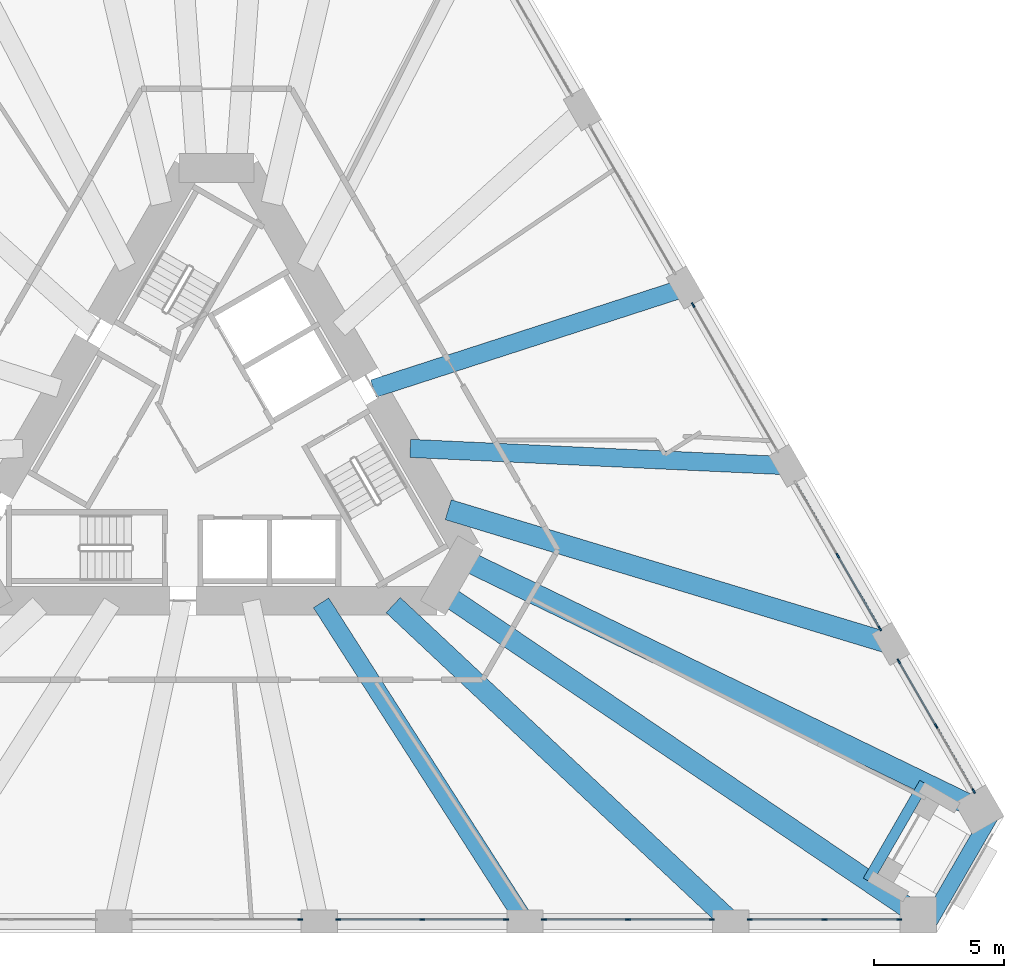
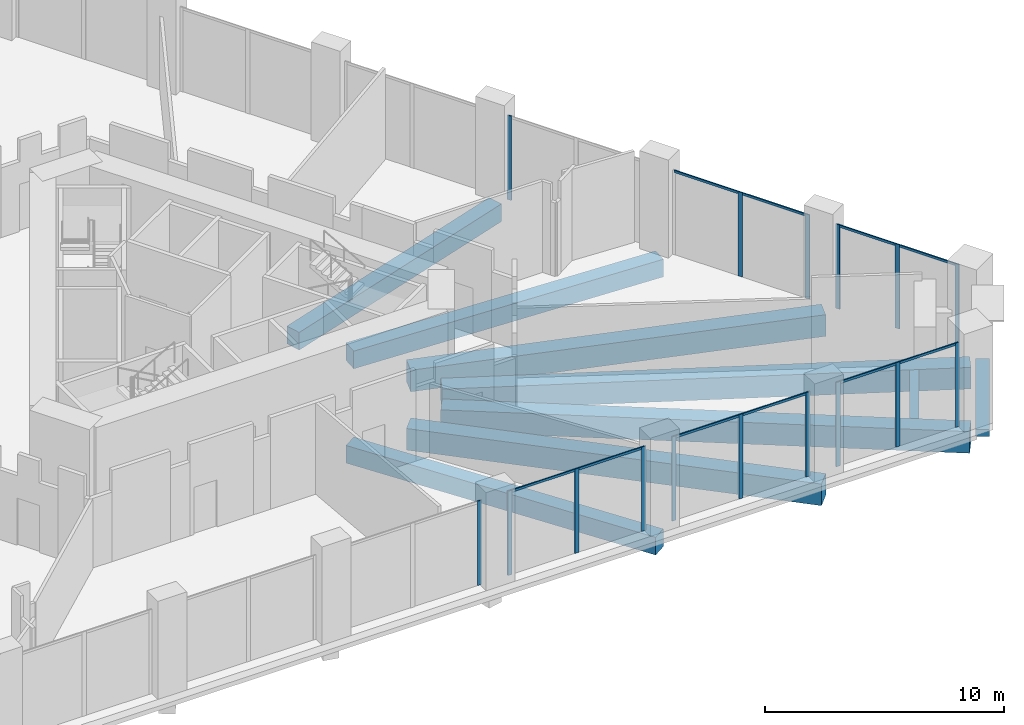
# One storey, part 7 of 20: 26 members, 9 beams, 7 elements without a shape of their own.
"""IFC4 building model written with IfcOpenShell, lengths in metres."""

from ifc_helpers import new_model, si_unit, direction, frame, origin, origin_2d, place, context, subcontext, project, spatial, rectangle, extrude, material, layer, layer_set, material_profile, profile_set, type_object, element, aggregate, save


model = new_model("IFC4")

# Units and contexts
model_context = context("Model", 3, precision=1e-05, world=origin(), true_north=direction((0.0, 1.0)))
body_context = subcontext(model_context, "Body", "Model", "MODEL_VIEW")
ifc_project = project(units=[si_unit("LENGTHUNIT", "METRE"), si_unit("AREAUNIT", "SQUARE_METRE"), si_unit("VOLUMEUNIT", "CUBIC_METRE"), si_unit("PLANEANGLEUNIT", "RADIAN"), si_unit("MASSUNIT", "GRAM", prefix="KILO")], contexts=[model_context])

# Site, building, storey
site_placement = place(None, origin())
site = spatial("IfcSite", under=ifc_project, at=site_placement, CompositionType="ELEMENT")
building_placement = place(site_placement, origin())
building = spatial("IfcBuilding", under=site, at=building_placement, Name="Tramontana Tower", CompositionType="ELEMENT")
storey_placement = place(building_placement, frame((0.0, 0.0, 15.0)))
storey = spatial("IfcBuildingStorey", under=building, at=storey_placement, Name="L02", CompositionType="ELEMENT", Elevation=15.0)

# Curtain wall, member
ifc_material_1 = material(Name="Aluminum extrusion", Category="aluminium")
ifc_layer = layer(ifc_material_1, 0.14990234375)
ifc_layer_set = layer_set([ifc_layer], Name="CW2 Podium amenity curtain wall")
curtain_wall_type = type_object("IfcCurtainWallType", Name="CW2 Podium amenity curtain wall", PredefinedType="NOTDEFINED", material=ifc_layer_set)
curtain_wall_1_placement = place(storey_placement, origin())
curtain_wall_1 = element("IfcCurtainWall", 1, at=curtain_wall_1_placement, inside=storey, type_object=curtain_wall_type, Name="CW2 curtain wall L02 face 1 bay 4", PredefinedType="NOTDEFINED")
ifc_material_2 = material(Name="Aluminum extrusion", Category="aluminium")
ifc_material_profile_1 = material_profile(ifc_material_2, rectangle(XDim=0.06005859375, YDim=0.199951171875, at=origin_2d()), Name="CW2-M Mullion 60 x 200")
ifc_profile_set_1 = profile_set([ifc_material_profile_1], Name="Aluminum extrusion")
member_type_1 = type_object("IfcMemberType", Name="CW2-M Mullion 60 x 200", PredefinedType="MULLION", material=ifc_profile_set_1)
member_1_placement = place(storey_placement, frame((3.22900390625, -18.47509765625, 0.0), z_axis=(0.0, 0.0, 1.0), x_axis=(0.0, 1.0, 0.0)))
member_1 = element("IfcMember", 2, at=member_1_placement, type_object=member_type_1, Name="CW2 curtain wall L02 face 1 bay 4 mullion 3", PredefinedType="MULLION", context=body_context, shape_type="SweptSolid", body=[
    extrude(rectangle(XDim=0.06005859375, YDim=0.199951171875, at=origin_2d()), origin(), (0.0, 0.0, 1.0), 4.300048828125),
])
aggregate(curtain_wall_1, [member_1])

# Curtain wall, members
curtain_wall_2_placement = place(storey_placement, origin())
curtain_wall_2 = element("IfcCurtainWall", 3, at=curtain_wall_2_placement, inside=storey, type_object=curtain_wall_type, Name="CW2 curtain wall L02 face 1 bay 5", PredefinedType="NOTDEFINED")
member_2_placement = place(storey_placement, frame((4.68896484375, -18.47509765625, 0.0), z_axis=(0.0, 0.0, 1.0), x_axis=(0.0, 1.0, 0.0)))
member_2 = element("IfcMember", 4, at=member_2_placement, type_object=member_type_1, Name="CW2 curtain wall L02 face 1 bay 5 mullion 1", PredefinedType="MULLION", context=body_context, shape_type="SweptSolid", body=[
    extrude(rectangle(XDim=0.06005859375, YDim=0.199951171875, at=origin_2d()), origin(), (0.0, 0.0, 1.0), 4.300048828125),
])
member_3_placement = place(storey_placement, frame((7.91796875, -18.47509765625, 0.0), z_axis=(0.0, 0.0, 1.0), x_axis=(0.0, 1.0, 0.0)))
member_3 = element("IfcMember", 5, at=member_3_placement, type_object=member_type_1, Name="CW2 curtain wall L02 face 1 bay 5 mullion 2", PredefinedType="MULLION", context=body_context, shape_type="SweptSolid", body=[
    extrude(rectangle(XDim=0.06005859375, YDim=0.199951171875, at=origin_2d()), origin(), (0.0, 0.0, 1.0), 4.300048828125),
])
member_4_placement = place(storey_placement, frame((11.14697265625, -18.47509765625, 0.0), z_axis=(0.0, 0.0, 1.0), x_axis=(0.0, 1.0, 0.0)))
member_4 = element("IfcMember", 6, at=member_4_placement, type_object=member_type_1, Name="CW2 curtain wall L02 face 1 bay 5 mullion 3", PredefinedType="MULLION", context=body_context, shape_type="SweptSolid", body=[
    extrude(rectangle(XDim=0.06005859375, YDim=0.199951171875, at=origin_2d()), origin(), (0.0, 0.0, 1.0), 4.300048828125),
])

curtain_wall_3_placement = place(storey_placement, origin())
curtain_wall_3 = element("IfcCurtainWall", 7, at=curtain_wall_3_placement, inside=storey, type_object=curtain_wall_type, Name="CW2 curtain wall L02 face 1 bay 6", PredefinedType="NOTDEFINED")
member_5_placement = place(storey_placement, frame((12.60693359375, -18.47509765625, 0.0), z_axis=(0.0, 0.0, 1.0), x_axis=(0.0, 1.0, 0.0)))
member_5 = element("IfcMember", 8, at=member_5_placement, type_object=member_type_1, Name="CW2 curtain wall L02 face 1 bay 6 mullion 1", PredefinedType="MULLION", context=body_context, shape_type="SweptSolid", body=[
    extrude(rectangle(XDim=0.06005859375, YDim=0.199951171875, at=origin_2d()), origin(), (0.0, 0.0, 1.0), 4.300048828125),
])
member_6_placement = place(storey_placement, frame((15.8359375, -18.47509765625, 0.0), z_axis=(0.0, 0.0, 1.0), x_axis=(0.0, 1.0, 0.0)))
member_6 = element("IfcMember", 9, at=member_6_placement, type_object=member_type_1, Name="CW2 curtain wall L02 face 1 bay 6 mullion 2", PredefinedType="MULLION", context=body_context, shape_type="SweptSolid", body=[
    extrude(rectangle(XDim=0.06005859375, YDim=0.199951171875, at=origin_2d()), origin(), (0.0, 0.0, 1.0), 4.300048828125),
])
member_7_placement = place(storey_placement, frame((19.06494140625, -18.47509765625, 0.0), z_axis=(0.0, 0.0, 1.0), x_axis=(0.0, 1.0, 0.0)))
member_7 = element("IfcMember", 10, at=member_7_placement, type_object=member_type_1, Name="CW2 curtain wall L02 face 1 bay 6 mullion 3", PredefinedType="MULLION", context=body_context, shape_type="SweptSolid", body=[
    extrude(rectangle(XDim=0.06005859375, YDim=0.199951171875, at=origin_2d()), origin(), (0.0, 0.0, 1.0), 4.300048828125),
])

curtain_wall_4_placement = place(storey_placement, origin())
curtain_wall_4 = element("IfcCurtainWall", 11, at=curtain_wall_4_placement, inside=storey, type_object=curtain_wall_type, Name="CW2 curtain wall L02 face 1 bay 7", PredefinedType="NOTDEFINED")
member_8_placement = place(storey_placement, frame((20.52490234375, -18.47509765625, 0.0), z_axis=(0.0, 0.0, 1.0), x_axis=(0.0, 1.0, 0.0)))
member_8 = element("IfcMember", 12, at=member_8_placement, type_object=member_type_1, Name="CW2 curtain wall L02 face 1 bay 7 mullion 1", PredefinedType="MULLION", context=body_context, shape_type="SweptSolid", body=[
    extrude(rectangle(XDim=0.06005859375, YDim=0.199951171875, at=origin_2d()), origin(), (0.0, 0.0, 1.0), 4.300048828125),
])
member_9_placement = place(storey_placement, frame((23.40380859375, -18.47509765625, 0.0), z_axis=(0.0, 0.0, 1.0), x_axis=(0.0, 1.0, 0.0)))
member_9 = element("IfcMember", 13, at=member_9_placement, type_object=member_type_1, Name="CW2 curtain wall L02 face 1 bay 7 mullion 2", PredefinedType="MULLION", context=body_context, shape_type="SweptSolid", body=[
    extrude(rectangle(XDim=0.06005859375, YDim=0.199951171875, at=origin_2d()), origin(), (0.0, 0.0, 1.0), 4.300048828125),
])
member_10_placement = place(storey_placement, frame((26.28271484375, -18.47509765625, 0.0), z_axis=(0.0, 0.0, 1.0), x_axis=(0.0, 1.0, 0.0)))
member_10 = element("IfcMember", 14, at=member_10_placement, type_object=member_type_1, Name="CW2 curtain wall L02 face 1 bay 7 mullion 3", PredefinedType="MULLION", context=body_context, shape_type="SweptSolid", body=[
    extrude(rectangle(XDim=0.06005859375, YDim=0.199951171875, at=origin_2d()), origin(), (0.0, 0.0, 1.0), 4.300048828125),
])

curtain_wall_5_placement = place(storey_placement, origin())
curtain_wall_5 = element("IfcCurtainWall", 15, at=curtain_wall_5_placement, inside=storey, type_object=curtain_wall_type, Name="CW2 curtain wall L02 face 2 bay 1", PredefinedType="NOTDEFINED")
member_11_placement = place(storey_placement, frame((29.14111328125, -13.524169921875, 0.0), z_axis=(0.0, 0.0, 1.0), x_axis=(-0.866025403784, -0.5, 0.0)))
member_11 = element("IfcMember", 16, at=member_11_placement, type_object=member_type_1, Name="CW2 curtain wall L02 face 2 bay 1 mullion 1", PredefinedType="MULLION", context=body_context, shape_type="SweptSolid", body=[
    extrude(rectangle(XDim=0.06005859375, YDim=0.199951171875, at=origin_2d()), origin(), (0.0, 0.0, 1.0), 4.300048828125),
])
member_12_placement = place(storey_placement, frame((27.70166015625, -11.03076171875, 0.0), z_axis=(0.0, 0.0, 1.0), x_axis=(-0.866025403784, -0.5, 0.0)))
member_12 = element("IfcMember", 17, at=member_12_placement, type_object=member_type_1, Name="CW2 curtain wall L02 face 2 bay 1 mullion 2", PredefinedType="MULLION", context=body_context, shape_type="SweptSolid", body=[
    extrude(rectangle(XDim=0.06005859375, YDim=0.199951171875, at=origin_2d()), origin(), (0.0, 0.0, 1.0), 4.300048828125),
])
member_13_placement = place(storey_placement, frame((26.26220703125, -8.53759765625, 0.0), z_axis=(0.0, 0.0, 1.0), x_axis=(-0.866025403784, -0.5, 0.0)))
member_13 = element("IfcMember", 18, at=member_13_placement, type_object=member_type_1, Name="CW2 curtain wall L02 face 2 bay 1 mullion 3", PredefinedType="MULLION", context=body_context, shape_type="SweptSolid", body=[
    extrude(rectangle(XDim=0.06005859375, YDim=0.199951171875, at=origin_2d()), origin(), (0.0, 0.0, 1.0), 4.300048828125),
])

curtain_wall_6_placement = place(storey_placement, origin())
curtain_wall_6 = element("IfcCurtainWall", 19, at=curtain_wall_6_placement, inside=storey, type_object=curtain_wall_type, Name="CW2 curtain wall L02 face 2 bay 2", PredefinedType="NOTDEFINED")
member_14_placement = place(storey_placement, frame((25.5322265625, -7.273193359375, 0.0), z_axis=(0.0, 0.0, 1.0), x_axis=(-0.866025403784, -0.5, 0.0)))
member_14 = element("IfcMember", 20, at=member_14_placement, type_object=member_type_1, Name="CW2 curtain wall L02 face 2 bay 2 mullion 1", PredefinedType="MULLION", context=body_context, shape_type="SweptSolid", body=[
    extrude(rectangle(XDim=0.06005859375, YDim=0.199951171875, at=origin_2d()), origin(), (0.0, 0.0, 1.0), 4.300048828125),
])
member_15_placement = place(storey_placement, frame((23.917724609375, -4.476806640625, 0.0), z_axis=(0.0, 0.0, 1.0), x_axis=(-0.866025403784, -0.5, 0.0)))
member_15 = element("IfcMember", 21, at=member_15_placement, type_object=member_type_1, Name="CW2 curtain wall L02 face 2 bay 2 mullion 2", PredefinedType="MULLION", context=body_context, shape_type="SweptSolid", body=[
    extrude(rectangle(XDim=0.06005859375, YDim=0.199951171875, at=origin_2d()), origin(), (0.0, 0.0, 1.0), 4.300048828125),
])

# Curtain wall, member
curtain_wall_7_placement = place(storey_placement, origin())
curtain_wall_7 = element("IfcCurtainWall", 22, at=curtain_wall_7_placement, inside=storey, type_object=curtain_wall_type, Name="CW2 curtain wall L02 face 2 bay 3", PredefinedType="NOTDEFINED")
member_16_placement = place(storey_placement, frame((18.34423828125, 5.1767578125, 0.0), z_axis=(0.0, 0.0, 1.0), x_axis=(-0.866025403784, -0.5, 0.0)))
member_16 = element("IfcMember", 23, at=member_16_placement, type_object=member_type_1, Name="CW2 curtain wall L02 face 2 bay 3 mullion 3", PredefinedType="MULLION", context=body_context, shape_type="SweptSolid", body=[
    extrude(rectangle(XDim=0.06005859375, YDim=0.199951171875, at=origin_2d()), origin(), (0.0, 0.0, 1.0), 4.300048828125),
])
aggregate(curtain_wall_7, [member_16])

# Member
ifc_material_3 = material(Name="Aluminum extrusion", Category="aluminium")
ifc_material_profile_2 = material_profile(ifc_material_3, rectangle(XDim=0.06005859375, YDim=0.1201171875, at=origin_2d()), Name="CW2-T Transom 60 x 120")
ifc_profile_set_2 = profile_set([ifc_material_profile_2], Name="Aluminum extrusion")
member_type_2 = type_object("IfcMemberType", Name="CW2-T Transom 60 x 120", PredefinedType="USERDEFINED", material=ifc_profile_set_2)
member_17_placement = place(storey_placement, frame((4.718994140625, -18.47509765625, 4.239990234375), z_axis=(1.0, 0.0, 0.0), x_axis=(0.0, 1.0, 0.0)))
member_17 = element("IfcMember", 24, at=member_17_placement, type_object=member_type_2, Name="CW2 curtain wall L02 face 1 bay 5 transom 1.1", ObjectType="TRANSOM", PredefinedType="USERDEFINED", context=body_context, shape_type="SweptSolid", body=[
    extrude(rectangle(XDim=0.06005859375, YDim=0.1201171875, at=origin_2d()), origin(), (0.0, 0.0, 1.0), 3.1689453125),
])

member_18_placement = place(storey_placement, frame((7.947998046875, -18.47509765625, 4.239990234375), z_axis=(1.0, 0.0, 0.0), x_axis=(0.0, 1.0, 0.0)))
member_18 = element("IfcMember", 25, at=member_18_placement, type_object=member_type_2, Name="CW2 curtain wall L02 face 1 bay 5 transom 2.1", ObjectType="TRANSOM", PredefinedType="USERDEFINED", context=body_context, shape_type="SweptSolid", body=[
    extrude(rectangle(XDim=0.06005859375, YDim=0.1201171875, at=origin_2d()), origin(), (0.0, 0.0, 1.0), 3.1689453125),
])

aggregate(curtain_wall_2, [member_2, member_3, member_4, member_17, member_18])

member_19_placement = place(storey_placement, frame((12.636962890625, -18.47509765625, 4.239990234375), z_axis=(1.0, 0.0, 0.0), x_axis=(0.0, 1.0, 0.0)))
member_19 = element("IfcMember", 26, at=member_19_placement, type_object=member_type_2, Name="CW2 curtain wall L02 face 1 bay 6 transom 1.1", ObjectType="TRANSOM", PredefinedType="USERDEFINED", context=body_context, shape_type="SweptSolid", body=[
    extrude(rectangle(XDim=0.06005859375, YDim=0.1201171875, at=origin_2d()), origin(), (0.0, 0.0, 1.0), 3.1689453125),
])

member_20_placement = place(storey_placement, frame((15.865966796875, -18.47509765625, 4.239990234375), z_axis=(1.0, 0.0, 0.0), x_axis=(0.0, 1.0, 0.0)))
member_20 = element("IfcMember", 27, at=member_20_placement, type_object=member_type_2, Name="CW2 curtain wall L02 face 1 bay 6 transom 2.1", ObjectType="TRANSOM", PredefinedType="USERDEFINED", context=body_context, shape_type="SweptSolid", body=[
    extrude(rectangle(XDim=0.06005859375, YDim=0.1201171875, at=origin_2d()), origin(), (0.0, 0.0, 1.0), 3.1689453125),
])

aggregate(curtain_wall_3, [member_5, member_6, member_7, member_19, member_20])

member_21_placement = place(storey_placement, frame((20.554931640625, -18.47509765625, 4.239990234375), z_axis=(1.0, 0.0, 0.0), x_axis=(0.0, 1.0, 0.0)))
member_21 = element("IfcMember", 28, at=member_21_placement, type_object=member_type_2, Name="CW2 curtain wall L02 face 1 bay 7 transom 1.1", ObjectType="TRANSOM", PredefinedType="USERDEFINED", context=body_context, shape_type="SweptSolid", body=[
    extrude(rectangle(XDim=0.06005859375, YDim=0.1201171875, at=origin_2d()), origin(), (0.0, 0.0, 1.0), 2.81884765625),
])

member_22_placement = place(storey_placement, frame((23.433837890625, -18.47509765625, 4.239990234375), z_axis=(1.0, 0.0, 0.0), x_axis=(0.0, 1.0, 0.0)))
member_22 = element("IfcMember", 29, at=member_22_placement, type_object=member_type_2, Name="CW2 curtain wall L02 face 1 bay 7 transom 2.1", ObjectType="TRANSOM", PredefinedType="USERDEFINED", context=body_context, shape_type="SweptSolid", body=[
    extrude(rectangle(XDim=0.06005859375, YDim=0.1201171875, at=origin_2d()), origin(), (0.0, 0.0, 1.0), 2.819091796875),
])

aggregate(curtain_wall_4, [member_8, member_9, member_10, member_21, member_22])

member_23_placement = place(storey_placement, frame((29.126220703125, -13.498046875, 4.239990234375), z_axis=(-0.500004849665, 0.866022603811, 0.0), x_axis=(-0.866022603811, -0.500004849665, 0.0)))
member_23 = element("IfcMember", 30, at=member_23_placement, type_object=member_type_2, Name="CW2 curtain wall L02 face 2 bay 1 transom 1.1", ObjectType="TRANSOM", PredefinedType="USERDEFINED", context=body_context, shape_type="SweptSolid", body=[
    extrude(rectangle(XDim=0.06005859375, YDim=0.1201171875, at=origin_2d()), origin(), (0.0, 0.0, 1.0), 2.81884765625),
])

member_24_placement = place(storey_placement, frame((27.686767578125, -11.0048828125, 4.239990234375), z_axis=(-0.499967348137, 0.866044254525, 0.0), x_axis=(-0.866044254525, -0.499967348137, 0.0)))
member_24 = element("IfcMember", 31, at=member_24_placement, type_object=member_type_2, Name="CW2 curtain wall L02 face 2 bay 1 transom 2.1", ObjectType="TRANSOM", PredefinedType="USERDEFINED", context=body_context, shape_type="SweptSolid", body=[
    extrude(rectangle(XDim=0.06005859375, YDim=0.1201171875, at=origin_2d()), origin(), (0.0, 0.0, 1.0), 2.819091796875),
])

aggregate(curtain_wall_5, [member_11, member_12, member_13, member_23, member_24])

member_25_placement = place(storey_placement, frame((25.517333984375, -7.2470703125, 4.239990234375), z_axis=(-0.500000324964, 0.866025216166, 0.0), x_axis=(-0.866025216166, -0.500000324964, 0.0)))
member_25 = element("IfcMember", 32, at=member_25_placement, type_object=member_type_2, Name="CW2 curtain wall L02 face 2 bay 2 transom 1.1", ObjectType="TRANSOM", PredefinedType="USERDEFINED", context=body_context, shape_type="SweptSolid", body=[
    extrude(rectangle(XDim=0.06005859375, YDim=0.1201171875, at=origin_2d()), origin(), (0.0, 0.0, 1.0), 3.1689453125),
])

member_26_placement = place(storey_placement, frame((23.90283203125, -4.45068359375, 4.239990234375), z_axis=(-0.500000324964, 0.866025216166, 0.0), x_axis=(-0.866025216166, -0.500000324964, 0.0)))
member_26 = element("IfcMember", 33, at=member_26_placement, type_object=member_type_2, Name="CW2 curtain wall L02 face 2 bay 2 transom 2.1", ObjectType="TRANSOM", PredefinedType="USERDEFINED", context=body_context, shape_type="SweptSolid", body=[
    extrude(rectangle(XDim=0.06005859375, YDim=0.1201171875, at=origin_2d()), origin(), (0.0, 0.0, 1.0), 3.1689453125),
])

aggregate(curtain_wall_6, [member_14, member_15, member_25, member_26])

# Beams
ifc_material_4 = material(Name="Concrete 40 MPa", Category="concrete")
ifc_material_profile_3 = material_profile(ifc_material_4, rectangle(XDim=0.60009765625, YDim=0.35009765625, at=origin_2d()), Name="RC EDGE BEAM 600X350 40 MPa")
ifc_profile_set_3 = profile_set([ifc_material_profile_3], Name="Concrete 40 MPa")
beam_type_1 = type_object("IfcBeamType", Name="RC EDGE BEAM 600X350 40 MPa", PredefinedType="SPANDREL", material=ifc_profile_set_3)
beam_1_placement = place(storey_placement, frame((27.322998046875, -18.77490234375, -0.52490234375), z_axis=(0.50000986103, 0.866019710441, 0.0), x_axis=(-0.866019710441, 0.50000986103, 0.0)))
element("IfcBeam", 34, at=beam_1_placement, inside=storey, type_object=beam_type_1, Name="Spandrel beam K2 L02", PredefinedType="SPANDREL", context=body_context, shape_type="SweptSolid", body=[
    extrude(rectangle(XDim=0.60009765625, YDim=0.35009765625, at=origin_2d()), origin(), (0.0, 0.0, 1.0), 5.1962890625),
])
ifc_material_5 = material(Name="Concrete 40 MPa", Category="concrete")
ifc_material_profile_4 = material_profile(ifc_material_5, rectangle(XDim=0.699951171875, YDim=0.89990234375, at=origin_2d()), Name="RC GIRDER 700X900 40 MPa")
ifc_profile_set_4 = profile_set([ifc_material_profile_4], Name="Concrete 40 MPa")
beam_type_2 = type_object("IfcBeamType", Name="RC GIRDER 700X900 40 MPa", PredefinedType="BEAM", material=ifc_profile_set_4)
for number, where, z_axis, x_axis, name in (
    (35, (11.876953125, -18.550048828125, -0.800048828125), (-0.539217827497, 0.84216633423, 0.0), (-0.84216633423, -0.539217827497, 0.0), "Radial girder C0F11 L02"),
    (36, (22.003173828125, -1.0107421875, -0.800048828125), (-0.998946541736, 0.045889070085, 0.0), (-0.045889070085, -0.998946541736, 0.0), "Radial girder C0F14 L02"),
):
    element("IfcBeam", number, at=place(storey_placement, frame(where, z_axis=z_axis, x_axis=x_axis)), inside=storey, type_object=beam_type_2, Name=name, PredefinedType="BEAM", context=body_context, shape_type="SweptSolid", body=[
        extrude(rectangle(XDim=0.699951171875, YDim=0.89990234375, at=origin_2d()), origin(), (0.0, 0.0, 1.0), 14.5615234375),
    ])
beam_2_placement = place(storey_placement, frame((18.044189453125, 5.846435546875, -0.800048828125), z_axis=(-0.951314408854, -0.30822215285, 0.0), x_axis=(0.30822215285, -0.951314408854, 0.0)))
element("IfcBeam", 37, at=beam_2_placement, inside=storey, type_object=beam_type_2, Name="Radial girder C0F15 L02", PredefinedType="BEAM", context=body_context, shape_type="SweptSolid", body=[
    extrude(rectangle(XDim=0.699951171875, YDim=0.89990234375, at=origin_2d()), origin(), (0.0, 0.0, 1.0), 12.61572265625),
])
ifc_material_6 = material(Name="Concrete 40 MPa", Category="concrete")
ifc_material_profile_5 = material_profile(ifc_material_6, rectangle(XDim=0.800048828125, YDim=1.10009765625, at=origin_2d()), Name="RC GIRDER 800X1100 40 MPa")
ifc_profile_set_5 = profile_set([ifc_material_profile_5], Name="Concrete 40 MPa")
beam_type_3 = type_object("IfcBeamType", Name="RC GIRDER 800X1100 40 MPa", PredefinedType="BEAM", material=ifc_profile_set_5)
beam_3_placement = place(storey_placement, frame((19.794921875, -18.550048828125, -0.89990234375), z_axis=(-0.72967229952, 0.683796998614, 0.0), x_axis=(-0.683796998614, -0.72967229952, 0.0)))
element("IfcBeam", 38, at=beam_3_placement, inside=storey, type_object=beam_type_3, Name="Radial girder C0F12 L02", PredefinedType="BEAM", context=body_context, shape_type="SweptSolid", body=[
    extrude(rectangle(XDim=0.800048828125, YDim=1.10009765625, at=origin_2d()), origin(), (0.0, 0.0, 1.0), 17.806884765625),
])
beam_4_placement = place(storey_placement, frame((27.0126953125, -18.300048828125, -0.89990234375), z_axis=(-0.827898052271, 0.560878609903, 0.0), x_axis=(-0.560878609903, -0.827898052271, 0.0)))
element("IfcBeam", 39, at=beam_4_placement, inside=storey, type_object=beam_type_3, Name="Radial girder C0K4 L02", PredefinedType="BEAM", context=body_context, shape_type="SweptSolid", body=[
    extrude(rectangle(XDim=0.800048828125, YDim=1.10009765625, at=origin_2d()), origin(), (0.0, 0.0, 1.0), 22.1494140625),
])
beam_5_placement = place(storey_placement, frame((29.354736328125, -14.243896484375, -0.89990234375), z_axis=(-0.899679009302, 0.436552036098, 0.0), x_axis=(-0.436552036098, -0.899679009302, 0.0)))
element("IfcBeam", 40, at=beam_5_placement, inside=storey, type_object=beam_type_3, Name="Radial girder C0K5 L02", PredefinedType="BEAM", context=body_context, shape_type="SweptSolid", body=[
    extrude(rectangle(XDim=0.800048828125, YDim=1.10009765625, at=origin_2d()), origin(), (0.0, 0.0, 1.0), 22.149658203125),
])
beam_6_placement = place(storey_placement, frame((25.962158203125, -7.867919921875, -0.89990234375), z_axis=(-0.95701990712, 0.290022236004, 0.0), x_axis=(-0.290022236004, -0.95701990712, 0.0)))
element("IfcBeam", 41, at=beam_6_placement, inside=storey, type_object=beam_type_3, Name="Radial girder C0F13 L02", PredefinedType="BEAM", context=body_context, shape_type="SweptSolid", body=[
    extrude(rectangle(XDim=0.800048828125, YDim=1.10009765625, at=origin_2d()), origin(), (0.0, 0.0, 1.0), 17.806640625),
])
ifc_material_7 = material(Name="Concrete 40 MPa", Category="concrete")
ifc_material_profile_6 = material_profile(ifc_material_7, rectangle(XDim=0.39990234375, YDim=0.5, at=origin_2d()), Name="RC TRIM BEAM 400X500 40 MPa")
ifc_profile_set_6 = profile_set([ifc_material_profile_6], Name="Concrete 40 MPa")
beam_type_4 = type_object("IfcBeamType", Name="RC TRIM BEAM 400X500 40 MPa", PredefinedType="JOIST", material=ifc_profile_set_6)
beam_7_placement = place(storey_placement, frame((25.0673828125, -16.98193359375, -0.60009765625), z_axis=(0.499999616612, 0.866025625133, 0.0), x_axis=(-0.866025625133, 0.499999616612, 0.0)))
element("IfcBeam", 42, at=beam_7_placement, inside=storey, type_object=beam_type_4, Name="Trimmer beam K2 L02", PredefinedType="JOIST", context=body_context, shape_type="SweptSolid", body=[
    extrude(rectangle(XDim=0.39990234375, YDim=0.5, at=origin_2d()), origin(), (0.0, 0.0, 1.0), 4.34619140625),
])

save(model, "model.ifc")
